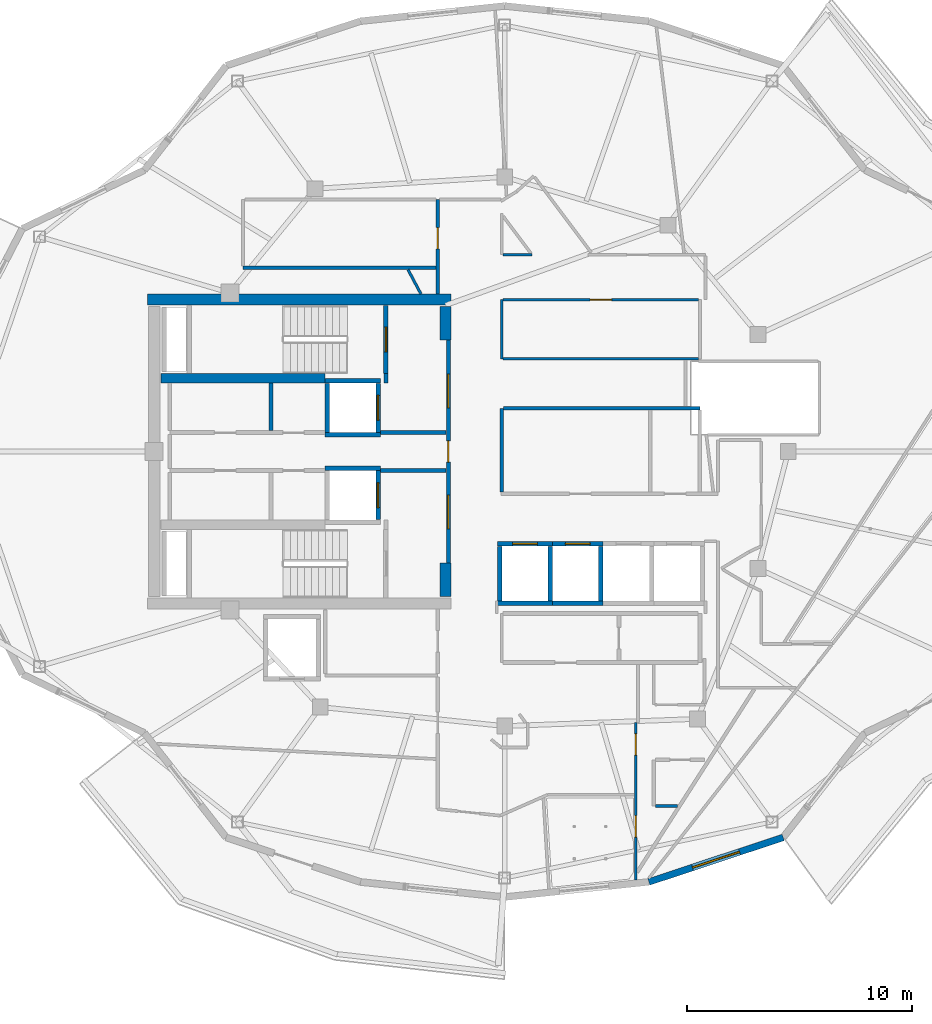
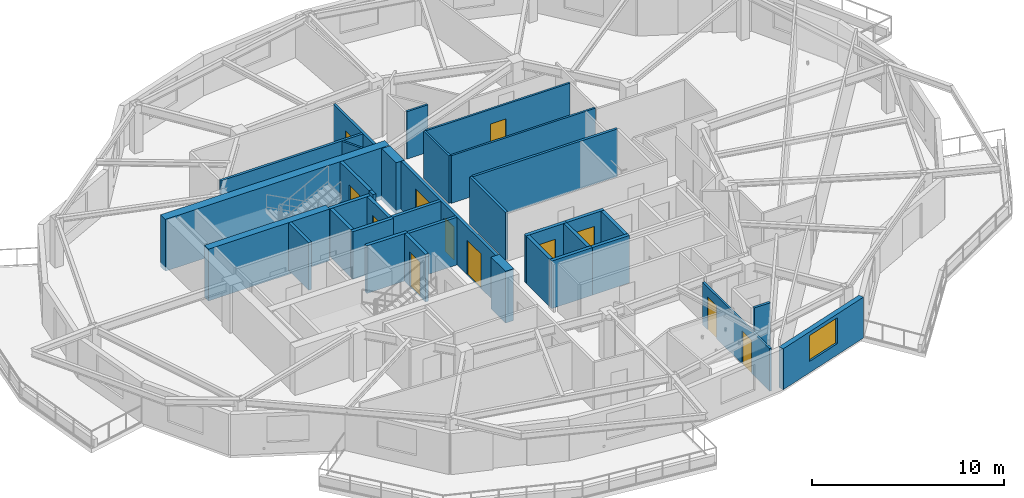
# One storey, part 4 of 14: 35 walls, 12 doors, 1 window, 13 openings.
"""IFC4 building model written with IfcOpenShell, lengths in metres."""

from ifc_helpers import new_model, si_unit, direction, frame, frame_2d, origin, place, context, subcontext, project, spatial, rectangle, extrude, material, layer, layer_set, type_object, element, fill, save


model = new_model("IFC4")

# Units and contexts
model_context = context("Model", 3, precision=1e-05, world=origin(), true_north=direction((0.0, 1.0)))
body_context = subcontext(model_context, "Body", "Model", "MODEL_VIEW")
ifc_project = project(units=[si_unit("LENGTHUNIT", "METRE"), si_unit("AREAUNIT", "SQUARE_METRE"), si_unit("VOLUMEUNIT", "CUBIC_METRE"), si_unit("PLANEANGLEUNIT", "RADIAN"), si_unit("MASSUNIT", "GRAM", prefix="KILO")], contexts=[model_context])

# Site, building, storey
site_placement = place(None, origin())
site = spatial("IfcSite", under=ifc_project, at=site_placement, CompositionType="ELEMENT")
building_placement = place(site_placement, origin())
building = spatial("IfcBuilding", under=site, at=building_placement, Name="Kolvaren Gate Tower and Convention Centre", CompositionType="ELEMENT")
storey_placement = place(building_placement, frame((0.0, 0.0, 209.60009765625)))
storey = spatial("IfcBuildingStorey", under=building, at=storey_placement, Name="L55", CompositionType="ELEMENT", Elevation=209.60009765625)

# Wall
ifc_material_1 = material(Name="Autoclaved Aerated Masonry Blockwork Class 4 (4.0 MPa)", Category="masonry")
ifc_layer_1 = layer(ifc_material_1, 0.179931640625)
ifc_layer_set_1 = layer_set([ifc_layer_1], Name="Autoclaved Aerated Masonry Blockwork Class 4 (4.0 MPa)")
wall_type_1 = type_object("IfcWallType", Name="ARCH-WL-COMP-180", PredefinedType="SOLIDWALL", material=ifc_layer_set_1)
wall_1_placement = place(storey_placement, frame((24.85009765625, 30.0400390625, 0.0), z_axis=(0.0, 0.0, 1.0), x_axis=(0.0, 1.0, 0.0)))
element("IfcWall", 1, at=wall_1_placement, inside=storey, type_object=wall_type_1, Name="Interior Partition WL-L55-INT-002", PredefinedType="SOLIDWALL", context=body_context, shape_type="SweptSolid", body=[
    extrude(rectangle(XDim=0.419921875, YDim=0.179931640625, at=frame_2d((0.2099609375, 0.0))), origin(), (0.0, 0.0, 1.0), 3.02978515625),
])

# Wall, openings, doors
wall_2_placement = place(storey_placement, frame((27.6201171875, 22.050048828125, 0.0), z_axis=(0.0, 0.0, 1.0), x_axis=(0.0, 1.0, 0.0)))
wall_2 = element("IfcWall", 2, at=wall_2_placement, inside=storey, type_object=wall_type_1, Name="Interior Partition WL-L55-INT-003", PredefinedType="SOLIDWALL", context=body_context, shape_type="SweptSolid", body=[
    extrude(rectangle(XDim=9.89990234375, YDim=0.179931640625, at=frame_2d((4.949951171875, 0.0))), origin(), (0.0, 0.0, 1.0), 3.02978515625),
])
opening_1_placement = place(wall_2_placement, frame((4.47509765625, 0.0, 0.0)))
opening_1 = element("IfcOpeningElement", 3, at=opening_1_placement, cuts=wall_2, Name="Opening DR-01", PredefinedType="OPENING", context=body_context, shape_type="SweptSolid", body=[
    extrude(rectangle(XDim=0.949951171875, YDim=2.10009765625, at=frame_2d((0.47509765625, 1.050048828125))), frame((0.0, 0.099853515625, 0.0), z_axis=(0.0, -1.0, 0.0), x_axis=(1.0, 0.0, 0.0)), (0.0, 0.0, 1.0), 0.199951171875),
])
opening_2_placement = place(wall_2_placement, frame((6.889892578125, 0.0, 0.0)))
opening_2 = element("IfcOpeningElement", 4, at=opening_2_placement, cuts=wall_2, Name="Opening DL-01", PredefinedType="OPENING", context=body_context, shape_type="SweptSolid", body=[
    extrude(rectangle(XDim=1.5, YDim=2.199951171875, at=frame_2d((0.75, 1.10009765625))), frame((0.0, 0.099853515625, 0.0), z_axis=(0.0, -1.0, 0.0), x_axis=(1.0, 0.0, 0.0)), (0.0, 0.0, 1.0), 0.199951171875),
])
opening_3_placement = place(wall_2_placement, frame((1.510009765625, 0.0, 0.0)))
opening_3 = element("IfcOpeningElement", 5, at=opening_3_placement, cuts=wall_2, Name="Opening DL-01", PredefinedType="OPENING", context=body_context, shape_type="SweptSolid", body=[
    extrude(rectangle(XDim=1.5, YDim=2.199951171875, at=frame_2d((0.75, 1.10009765625))), frame((0.0, 0.099853515625, 0.0), z_axis=(0.0, -1.0, 0.0), x_axis=(1.0, 0.0, 0.0)), (0.0, 0.0, 1.0), 0.199951171875),
])
ifc_material_2 = material(Name="Painted Architectural Steelwork ASTM A500 Grade C 345 MPa", Category="steel")
door_type_1 = type_object("IfcDoorType", Name="ARCH-DR-LOBBY-1500", OperationType="DOUBLE_DOOR_SINGLE_SWING", PredefinedType="DOOR", material=ifc_material_2)
door_1_placement = place(opening_2_placement, origin())
door_1 = element("IfcDoor", 6, at=door_1_placement, inside=storey, type_object=door_type_1, Name="North Firefighting Stair and Lift Lobby Door", OperationType="DOUBLE_DOOR_SINGLE_SWING", OverallHeight=2.199951171875, OverallWidth=1.5, PredefinedType="DOOR", context=body_context, shape_type="SweptSolid", body=[
    extrude(rectangle(XDim=1.5, YDim=2.199951171875, at=frame_2d((0.75, 1.10009765625))), frame((0.0, 0.02490234375, 0.0), z_axis=(0.0, -1.0, 0.0), x_axis=(1.0, 0.0, 0.0)), (0.0, 0.0, 1.0), 0.050048828125),
])
fill(opening_2, door_1)
door_2_placement = place(opening_3_placement, origin())
door_2 = element("IfcDoor", 7, at=door_2_placement, inside=storey, type_object=door_type_1, Name="South Firefighting Stair and Lift Lobby Door", OperationType="DOUBLE_DOOR_SINGLE_SWING", OverallHeight=2.199951171875, OverallWidth=1.5, PredefinedType="DOOR", context=body_context, shape_type="SweptSolid", body=[
    extrude(rectangle(XDim=1.5, YDim=2.199951171875, at=frame_2d((0.75, 1.10009765625))), frame((0.0, 0.02490234375, 0.0), z_axis=(0.0, -1.0, 0.0), x_axis=(1.0, 0.0, 0.0)), (0.0, 0.0, 1.0), 0.050048828125),
])
fill(opening_3, door_2)
door_type_2 = type_object("IfcDoorType", Name="ARCH-DR-RISER-950", OperationType="SINGLE_SWING_RIGHT", PredefinedType="DOOR", material=ifc_material_2)
door_3_placement = place(opening_1_placement, origin())
door_3 = element("IfcDoor", 8, at=door_3_placement, inside=storey, type_object=door_type_2, Name="Central MEP Service Corridor Door", OperationType="SINGLE_SWING_RIGHT", OverallHeight=2.10009765625, OverallWidth=0.949951171875, PredefinedType="DOOR", context=body_context, shape_type="SweptSolid", body=[
    extrude(rectangle(XDim=0.949951171875, YDim=2.10009765625, at=frame_2d((0.47509765625, 1.050048828125))), frame((0.0, 0.02490234375, 0.0), z_axis=(0.0, -1.0, 0.0), x_axis=(1.0, 0.0, 0.0)), (0.0, 0.0, 1.0), 0.050048828125),
])
fill(opening_1, door_3)

# Walls
for number, where, z_axis, x_axis, name in (
    (9, (24.60009765625, 27.840087890625, 0.0), (0.0, 0.0, 1.0), (1.0, 0.0, 0.0), "Interior Partition WL-L55-INT-004 (2)"),
    (10, (24.60009765625, 26.159912109375, 0.0), (0.0, 0.0, 1.0), (1.0, 0.0, 0.0), "Interior Partition WL-L55-INT-005 (2)"),
):
    element("IfcWall", number, at=place(storey_placement, frame(where, z_axis=z_axis, x_axis=x_axis)), inside=storey, type_object=wall_type_1, Name=name, PredefinedType="SOLIDWALL", context=body_context, shape_type="SweptSolid", body=[
        extrude(rectangle(XDim=2.927978515625, YDim=0.179931640625, at=frame_2d((1.4638671875, 0.0))), origin(), (0.0, 0.0, 1.0), 3.02978515625),
    ])
wall_3_placement = place(storey_placement, frame((19.75, 27.931884765625, 0.0), z_axis=(0.0, 0.0, 1.0), x_axis=(0.0, 1.0, 0.0)))
element("IfcWall", 11, at=wall_3_placement, inside=storey, type_object=wall_type_1, Name="Interior Partition WL-L55-INT-008", PredefinedType="SOLIDWALL", context=body_context, shape_type="SweptSolid", body=[
    extrude(rectangle(XDim=2.106201171875, YDim=0.179931640625, at=frame_2d((1.05322265625, 0.0))), origin(), (0.0, 0.0, 1.0), 3.02978515625),
])
ifc_material_3 = material(Name="Fire-Rated Acoustic Gypsum Stud Partition", Category="gypsum")
ifc_layer_2 = layer(ifc_material_3, 0.1201171875)
ifc_layer_set_2 = layer_set([ifc_layer_2], Name="Fire-Rated Acoustic Gypsum Stud Partition")
wall_type_2 = type_object("IfcWallType", Name="ARCH-WL-PART-120", PredefinedType="PARTITIONING", material=ifc_layer_set_2)
wall_4_placement = place(storey_placement, frame((30.0, 31.1201171875, 0.0), z_axis=(0.0, 0.0, 1.0), x_axis=(0.0, 1.0, 0.0)))
element("IfcWall", 12, at=wall_4_placement, inside=storey, type_object=wall_type_2, Name="Interior Partition WL-L55-INT-016", PredefinedType="PARTITIONING", context=body_context, shape_type="SweptSolid", body=[
    extrude(rectangle(XDim=2.6298828125, YDim=0.1201171875, at=frame_2d((1.31494140625, 0.0))), origin(), (0.0, 0.0, 1.0), 3.02978515625),
])
wall_5_placement = place(storey_placement, frame((30.06201171875, 31.1201171875, 0.0), z_axis=(0.0, 0.0, 1.0), x_axis=(1.0, 0.0, 0.0)))
element("IfcWall", 13, at=wall_5_placement, inside=storey, type_object=wall_type_2, Name="Interior Partition WL-L55-INT-023", PredefinedType="PARTITIONING", context=body_context, shape_type="SweptSolid", body=[
    extrude(rectangle(XDim=8.676025390625, YDim=0.1201171875, at=frame_2d((4.337890625, 0.0))), origin(), (0.0, 0.0, 1.0), 3.02978515625),
])

# Wall, opening, door
wall_6_placement = place(storey_placement, frame((30.06201171875, 33.75, 0.0), z_axis=(0.0, 0.0, 1.0), x_axis=(1.0, 0.0, 0.0)))
wall_6 = element("IfcWall", 14, at=wall_6_placement, inside=storey, type_object=wall_type_2, Name="Interior Partition WL-L55-INT-024", PredefinedType="PARTITIONING", context=body_context, shape_type="SweptSolid", body=[
    extrude(rectangle(XDim=8.676025390625, YDim=0.1201171875, at=frame_2d((4.337890625, 0.0))), origin(), (0.0, 0.0, 1.0), 3.02978515625),
])
opening_4_placement = place(wall_6_placement, frame((3.863037109375, 0.0, 0.0)))
opening_4 = element("IfcOpeningElement", 15, at=opening_4_placement, cuts=wall_6, Name="Opening DR-01", PredefinedType="OPENING", context=body_context, shape_type="SweptSolid", body=[
    extrude(rectangle(XDim=0.949951171875, YDim=2.10009765625, at=frame_2d((0.47509765625, 1.050048828125))), frame((0.0, 0.070068359375, 0.0), z_axis=(0.0, -1.0, 0.0), x_axis=(1.0, 0.0, 0.0)), (0.0, 0.0, 1.0), 0.14013671875),
])
door_4_placement = place(opening_4_placement, origin())
door_4 = element("IfcDoor", 16, at=door_4_placement, inside=storey, type_object=door_type_2, Name="Botanical Reading Clubroom Door", OperationType="SINGLE_SWING_RIGHT", OverallHeight=2.10009765625, OverallWidth=0.949951171875, PredefinedType="DOOR", context=body_context, shape_type="SweptSolid", body=[
    extrude(rectangle(XDim=0.949951171875, YDim=2.10009765625, at=frame_2d((0.47509765625, 1.050048828125))), frame((0.0, 0.02490234375, 0.0), z_axis=(0.0, -1.0, 0.0), x_axis=(1.0, 0.0, 0.0)), (0.0, 0.0, 1.0), 0.050048828125),
])
fill(opening_4, door_4)

# Wall
wall_7_placement = place(storey_placement, frame((30.06201171875, 35.75, 0.0), z_axis=(0.0, 0.0, 1.0), x_axis=(1.0, 0.0, 0.0)))
element("IfcWall", 17, at=wall_7_placement, inside=storey, type_object=wall_type_2, Name="Interior Partition WL-L55-INT-034", PredefinedType="PARTITIONING", context=body_context, shape_type="SweptSolid", body=[
    extrude(rectangle(XDim=1.27490234375, YDim=0.1201171875, at=frame_2d((0.637451171875, 0.0))), origin(), (0.0, 0.0, 1.0), 3.02978515625),
])

# Wall, openings, doors
wall_8_placement = place(storey_placement, frame((35.949951171875, 7.96630859375, 0.0), z_axis=(0.0, 0.0, 1.0), x_axis=(0.0, 1.0, 0.0)))
wall_8 = element("IfcWall", 18, at=wall_8_placement, inside=storey, type_object=wall_type_2, Name="Interior Partition WL-L55-INT-054", PredefinedType="PARTITIONING", context=body_context, shape_type="SweptSolid", body=[
    extrude(rectangle(XDim=6.983642578125, YDim=0.1201171875, at=frame_2d((3.49169921875, 0.0))), origin(), (0.0, 0.0, 1.0), 2.7119140625),
])
opening_5_placement = place(wall_8_placement, frame((5.543701171875, 0.0, 0.0)))
opening_5 = element("IfcOpeningElement", 19, at=opening_5_placement, cuts=wall_8, Name="Opening DR-01", PredefinedType="OPENING", context=body_context, shape_type="SweptSolid", body=[
    extrude(rectangle(XDim=0.949951171875, YDim=2.10009765625, at=frame_2d((0.47509765625, 1.050048828125))), frame((0.0, 0.070068359375, 0.0), z_axis=(0.0, -1.0, 0.0), x_axis=(1.0, 0.0, 0.0)), (0.0, 0.0, 1.0), 0.14013671875),
])
opening_6_placement = place(wall_8_placement, frame((1.90185546875, 0.0, 0.0)))
opening_6 = element("IfcOpeningElement", 20, at=opening_6_placement, cuts=wall_8, Name="Opening DI-01", PredefinedType="OPENING", context=body_context, shape_type="SweptSolid", body=[
    extrude(rectangle(XDim=0.949951171875, YDim=2.10009765625, at=frame_2d((0.47509765625, 1.050048828125))), frame((0.0, 0.070068359375, 0.0), z_axis=(0.0, -1.0, 0.0), x_axis=(1.0, 0.0, 0.0)), (0.0, 0.0, 1.0), 0.14013671875),
])
ifc_material_4 = material(Name="FSC Andean Oak Engineered Veneer Door Leaf", Category="wood")
door_type_3 = type_object("IfcDoorType", Name="ARCH-DR-INT-950", OperationType="SINGLE_SWING_LEFT", PredefinedType="DOOR", material=ifc_material_4)
door_5_placement = place(opening_6_placement, origin())
door_5 = element("IfcDoor", 21, at=door_5_placement, inside=storey, type_object=door_type_3, Name="Apartment Bedroom (APT-L55-01) Door", OperationType="SINGLE_SWING_RIGHT", OverallHeight=2.10009765625, OverallWidth=0.949951171875, PredefinedType="DOOR", context=body_context, shape_type="SweptSolid", body=[
    extrude(rectangle(XDim=0.949951171875, YDim=2.10009765625, at=frame_2d((0.47509765625, 1.050048828125))), frame((0.0, 0.02490234375, 0.0), z_axis=(0.0, -1.0, 0.0), x_axis=(1.0, 0.0, 0.0)), (0.0, 0.0, 1.0), 0.050048828125),
])
fill(opening_6, door_5)
door_6_placement = place(opening_5_placement, origin())
door_6 = element("IfcDoor", 22, at=door_6_placement, inside=storey, type_object=door_type_2, Name="Family Apartment Living and Dining Room (APT-L55-01) Door", OperationType="SINGLE_SWING_RIGHT", OverallHeight=2.10009765625, OverallWidth=0.949951171875, PredefinedType="DOOR", context=body_context, shape_type="SweptSolid", body=[
    extrude(rectangle(XDim=0.949951171875, YDim=2.10009765625, at=frame_2d((0.47509765625, 1.050048828125))), frame((0.0, 0.02490234375, 0.0), z_axis=(0.0, -1.0, 0.0), x_axis=(1.0, 0.0, 0.0)), (0.0, 0.0, 1.0), 0.050048828125),
])
fill(opening_5, door_6)

# Walls
wall_9_placement = place(storey_placement, frame((25.830810546875, 35.0830078125, 0.0), z_axis=(0.0, 0.0, 1.0), x_axis=(0.468630025993, -0.883394531757, 0.0)))
element("IfcWall", 23, at=wall_9_placement, inside=storey, type_object=wall_type_2, Name="Interior Partition WL-L55-INT-079", PredefinedType="PARTITIONING", context=body_context, shape_type="SweptSolid", body=[
    extrude(rectangle(XDim=1.2236328125, YDim=0.1201171875, at=frame_2d((0.61181640625, 0.0))), origin(), (0.0, 0.0, 1.0), 3.02978515625),
])
ifc_layer_3 = layer(ifc_material_1, 0.199951171875)
ifc_layer_set_3 = layer_set([ifc_layer_3], Name="Autoclaved Aerated Masonry Blockwork Class 4 (4.0 MPa)")
wall_type_3 = type_object("IfcWallType", Name="ARCH-WL-SHAFT-200", PredefinedType="SOLIDWALL", material=ifc_layer_set_3)
for number, where, z_axis, x_axis, name in (
    (24, (22.14990234375, 30.139892578125, 0.0), (0.0, 0.0, 1.0), (1.0, 0.0, 0.0), "Elevator FF-01 L55 Fire Shaft Wall N"),
    (25, (22.14990234375, 27.739990234375, 0.0), (0.0, 0.0, 1.0), (1.0, 0.0, 0.0), "Elevator FF-01 L55 Fire Shaft Wall S"),
):
    element("IfcWall", number, at=place(storey_placement, frame(where, z_axis=z_axis, x_axis=x_axis)), inside=storey, type_object=wall_type_3, Name=name, PredefinedType="SOLIDWALL", context=body_context, shape_type="SweptSolid", body=[
        extrude(rectangle(XDim=2.4501953125, YDim=0.199951171875, at=frame_2d((1.22509765625, 0.0))), origin(), (0.0, 0.0, 1.0), 3.02978515625),
    ])
wall_10_placement = place(storey_placement, frame((22.25, 27.85009765625, 0.0), z_axis=(0.0, 0.0, 1.0), x_axis=(0.0, 1.0, 0.0)))
element("IfcWall", 26, at=wall_10_placement, inside=storey, type_object=wall_type_3, Name="Elevator FF-01 L55 Fire Shaft Wall W", PredefinedType="SOLIDWALL", context=body_context, shape_type="SweptSolid", body=[
    extrude(rectangle(XDim=2.179931640625, YDim=0.199951171875, at=frame_2d((1.08984375, 0.0))), origin(), (0.0, 0.0, 1.0), 3.02978515625),
])

# Wall, opening, door
wall_11_placement = place(storey_placement, frame((24.5, 27.85009765625, 0.0), z_axis=(0.0, 0.0, 1.0), x_axis=(0.0, 1.0, 0.0)))
wall_11 = element("IfcWall", 27, at=wall_11_placement, inside=storey, type_object=wall_type_3, Name="Elevator FF-01 L55 Fire Shaft Wall E", PredefinedType="SOLIDWALL", context=body_context, shape_type="SweptSolid", body=[
    extrude(rectangle(XDim=2.179931640625, YDim=0.199951171875, at=frame_2d((1.08984375, 0.0))), origin(), (0.0, 0.0, 1.0), 3.02978515625),
])
opening_7_placement = place(wall_11_placement, frame((0.5400390625, 0.0, 0.0)))
opening_7 = element("IfcOpeningElement", 28, at=opening_7_placement, cuts=wall_11, Name="Opening LD", PredefinedType="OPENING", context=body_context, shape_type="SweptSolid", body=[
    extrude(rectangle(XDim=1.10009765625, YDim=2.199951171875, at=frame_2d((0.550048828125, 1.10009765625))), frame((0.0, 0.10986328125, 0.0), z_axis=(0.0, -1.0, 0.0), x_axis=(1.0, 0.0, 0.0)), (0.0, 0.0, 1.0), 0.219970703125),
])
ifc_material_5 = material(Name="Brushed Stainless Steel Grade 316L", Category="steel")
door_type_4 = type_object("IfcDoorType", Name="ARCH-DR-LIFT-1100", OperationType="SLIDING_TO_LEFT", PredefinedType="DOOR", material=ifc_material_5)
door_7_placement = place(opening_7_placement, origin())
door_7 = element("IfcDoor", 29, at=door_7_placement, inside=storey, type_object=door_type_4, Name="Elevator FF-01 L55 Sliding Landing Door", OperationType="SLIDING_TO_LEFT", OverallHeight=2.199951171875, OverallWidth=1.10009765625, PredefinedType="DOOR", context=body_context, shape_type="SweptSolid", body=[
    extrude(rectangle(XDim=1.10009765625, YDim=2.199951171875, at=frame_2d((0.550048828125, 1.10009765625))), frame((0.0, 0.02490234375, 0.0), z_axis=(0.0, -1.0, 0.0), x_axis=(1.0, 0.0, 0.0)), (0.0, 0.0, 1.0), 0.050048828125),
])
fill(opening_7, door_7)

# Wall
wall_12_placement = place(storey_placement, frame((22.14990234375, 26.260009765625, 0.0), z_axis=(0.0, 0.0, 1.0), x_axis=(1.0, 0.0, 0.0)))
element("IfcWall", 30, at=wall_12_placement, inside=storey, type_object=wall_type_3, Name="Elevator FF-02 L55 Fire Shaft Wall N", PredefinedType="SOLIDWALL", context=body_context, shape_type="SweptSolid", body=[
    extrude(rectangle(XDim=2.4501953125, YDim=0.199951171875, at=frame_2d((1.22509765625, 0.0))), origin(), (0.0, 0.0, 1.0), 3.02978515625),
])

# Wall, opening, door
wall_13_placement = place(storey_placement, frame((24.5, 23.969970703125, 0.0), z_axis=(0.0, 0.0, 1.0), x_axis=(0.0, 1.0, 0.0)))
wall_13 = element("IfcWall", 31, at=wall_13_placement, inside=storey, type_object=wall_type_3, Name="Elevator FF-02 L55 Fire Shaft Wall E", PredefinedType="SOLIDWALL", context=body_context, shape_type="SweptSolid", body=[
    extrude(rectangle(XDim=2.179931640625, YDim=0.199951171875, at=frame_2d((1.08984375, 0.0))), origin(), (0.0, 0.0, 1.0), 3.02978515625),
])
opening_8_placement = place(wall_13_placement, frame((0.5400390625, 0.0, 0.0)))
opening_8 = element("IfcOpeningElement", 32, at=opening_8_placement, cuts=wall_13, Name="Opening LD", PredefinedType="OPENING", context=body_context, shape_type="SweptSolid", body=[
    extrude(rectangle(XDim=1.10009765625, YDim=2.199951171875, at=frame_2d((0.550048828125, 1.10009765625))), frame((0.0, 0.10986328125, 0.0), z_axis=(0.0, -1.0, 0.0), x_axis=(1.0, 0.0, 0.0)), (0.0, 0.0, 1.0), 0.219970703125),
])
door_8_placement = place(opening_8_placement, origin())
door_8 = element("IfcDoor", 33, at=door_8_placement, inside=storey, type_object=door_type_4, Name="Elevator FF-02 L55 Sliding Landing Door", OperationType="SLIDING_TO_LEFT", OverallHeight=2.199951171875, OverallWidth=1.10009765625, PredefinedType="DOOR", context=body_context, shape_type="SweptSolid", body=[
    extrude(rectangle(XDim=1.10009765625, YDim=2.199951171875, at=frame_2d((0.550048828125, 1.10009765625))), frame((0.0, 0.02490234375, 0.0), z_axis=(0.0, -1.0, 0.0), x_axis=(1.0, 0.0, 0.0)), (0.0, 0.0, 1.0), 0.050048828125),
])
fill(opening_8, door_8)

wall_14_placement = place(storey_placement, frame((29.800048828125, 22.89990234375, 0.0), z_axis=(0.0, 0.0, 1.0), x_axis=(1.0, 0.0, 0.0)))
wall_14 = element("IfcWall", 34, at=wall_14_placement, inside=storey, type_object=wall_type_3, Name="Elevator PL-09 L55 Fire Shaft Wall N", PredefinedType="SOLIDWALL", context=body_context, shape_type="SweptSolid", body=[
    extrude(rectangle(XDim=2.449951171875, YDim=0.199951171875, at=frame_2d((1.22509765625, 0.0))), origin(), (0.0, 0.0, 1.0), 3.02978515625),
])
opening_9_placement = place(wall_14_placement, frame((0.675048828125, 0.0, 0.0)))
opening_9 = element("IfcOpeningElement", 35, at=opening_9_placement, cuts=wall_14, Name="Opening LD", PredefinedType="OPENING", context=body_context, shape_type="SweptSolid", body=[
    extrude(rectangle(XDim=1.10009765625, YDim=2.199951171875, at=frame_2d((0.550048828125, 1.10009765625))), frame((0.0, 0.10986328125, 0.0), z_axis=(0.0, -1.0, 0.0), x_axis=(1.0, 0.0, 0.0)), (0.0, 0.0, 1.0), 0.219970703125),
])
door_9_placement = place(opening_9_placement, origin())
door_9 = element("IfcDoor", 36, at=door_9_placement, inside=storey, type_object=door_type_4, Name="Elevator PL-09 L55 Sliding Landing Door", OperationType="SLIDING_TO_LEFT", OverallHeight=2.199951171875, OverallWidth=1.10009765625, PredefinedType="DOOR", context=body_context, shape_type="SweptSolid", body=[
    extrude(rectangle(XDim=1.10009765625, YDim=2.199951171875, at=frame_2d((0.550048828125, 1.10009765625))), frame((0.0, 0.02490234375, 0.0), z_axis=(0.0, -1.0, 0.0), x_axis=(1.0, 0.0, 0.0)), (0.0, 0.0, 1.0), 0.050048828125),
])
fill(opening_9, door_9)

# Walls
wall_15_placement = place(storey_placement, frame((29.800048828125, 20.25, 0.0), z_axis=(0.0, 0.0, 1.0), x_axis=(1.0, 0.0, 0.0)))
element("IfcWall", 37, at=wall_15_placement, inside=storey, type_object=wall_type_3, Name="Elevator PL-09 L55 Fire Shaft Wall S", PredefinedType="SOLIDWALL", context=body_context, shape_type="SweptSolid", body=[
    extrude(rectangle(XDim=2.449951171875, YDim=0.199951171875, at=frame_2d((1.22509765625, 0.0))), origin(), (0.0, 0.0, 1.0), 3.02978515625),
])
for number, where, z_axis, x_axis, name in (
    (38, (29.89990234375, 20.360107421875, 0.0), (0.0, 0.0, 1.0), (0.0, 1.0, 0.0), "Elevator PL-09 L55 Fire Shaft Wall W"),
    (39, (32.14990234375, 20.360107421875, 0.0), (0.0, 0.0, 1.0), (0.0, 1.0, 0.0), "Elevator PL-09 L55 Fire Shaft Wall E"),
):
    element("IfcWall", number, at=place(storey_placement, frame(where, z_axis=z_axis, x_axis=x_axis)), inside=storey, type_object=wall_type_3, Name=name, PredefinedType="SOLIDWALL", context=body_context, shape_type="SweptSolid", body=[
        extrude(rectangle(XDim=2.429931640625, YDim=0.199951171875, at=frame_2d((1.21484375, 0.0))), origin(), (0.0, 0.0, 1.0), 3.02978515625),
    ])

# Wall, opening, door
wall_16_placement = place(storey_placement, frame((32.25, 22.89990234375, 0.0), z_axis=(0.0, 0.0, 1.0), x_axis=(1.0, 0.0, 0.0)))
wall_16 = element("IfcWall", 40, at=wall_16_placement, inside=storey, type_object=wall_type_3, Name="Elevator PL-10 L55 Fire Shaft Wall N", PredefinedType="SOLIDWALL", context=body_context, shape_type="SweptSolid", body=[
    extrude(rectangle(XDim=2.25, YDim=0.199951171875, at=frame_2d((1.125, 0.0))), origin(), (0.0, 0.0, 1.0), 3.02978515625),
])
opening_10_placement = place(wall_16_placement, frame((0.574951171875, 0.0, 0.0)))
opening_10 = element("IfcOpeningElement", 41, at=opening_10_placement, cuts=wall_16, Name="Opening LD", PredefinedType="OPENING", context=body_context, shape_type="SweptSolid", body=[
    extrude(rectangle(XDim=1.10009765625, YDim=2.199951171875, at=frame_2d((0.550048828125, 1.10009765625))), frame((0.0, 0.10986328125, 0.0), z_axis=(0.0, -1.0, 0.0), x_axis=(1.0, 0.0, 0.0)), (0.0, 0.0, 1.0), 0.219970703125),
])
door_10_placement = place(opening_10_placement, origin())
door_10 = element("IfcDoor", 42, at=door_10_placement, inside=storey, type_object=door_type_4, Name="Elevator PL-10 L55 Sliding Landing Door", OperationType="SLIDING_TO_LEFT", OverallHeight=2.199951171875, OverallWidth=1.10009765625, PredefinedType="DOOR", context=body_context, shape_type="SweptSolid", body=[
    extrude(rectangle(XDim=1.10009765625, YDim=2.199951171875, at=frame_2d((0.550048828125, 1.10009765625))), frame((0.0, 0.02490234375, 0.0), z_axis=(0.0, -1.0, 0.0), x_axis=(1.0, 0.0, 0.0)), (0.0, 0.0, 1.0), 0.050048828125),
])
fill(opening_10, door_10)

# Walls
wall_17_placement = place(storey_placement, frame((32.25, 20.25, 0.0), z_axis=(0.0, 0.0, 1.0), x_axis=(1.0, 0.0, 0.0)))
element("IfcWall", 43, at=wall_17_placement, inside=storey, type_object=wall_type_3, Name="Elevator PL-10 L55 Fire Shaft Wall S", PredefinedType="SOLIDWALL", context=body_context, shape_type="SweptSolid", body=[
    extrude(rectangle(XDim=2.25, YDim=0.199951171875, at=frame_2d((1.125, 0.0))), origin(), (0.0, 0.0, 1.0), 3.02978515625),
])
wall_18_placement = place(storey_placement, frame((34.39990234375, 20.360107421875, 0.0), z_axis=(0.0, 0.0, 1.0), x_axis=(0.0, 1.0, 0.0)))
element("IfcWall", 44, at=wall_18_placement, inside=storey, type_object=wall_type_3, Name="Elevator PL-10 L55 Fire Shaft Wall E", PredefinedType="SOLIDWALL", context=body_context, shape_type="SweptSolid", body=[
    extrude(rectangle(XDim=2.429931640625, YDim=0.199951171875, at=frame_2d((1.21484375, 0.0))), origin(), (0.0, 0.0, 1.0), 3.02978515625),
])

# Wall, opening, window
ifc_material_6 = material(Name="Piedmont Cream Honed Limestone Cladding", Category="masonry")
ifc_layer_4 = layer(ifc_material_6, 0.300048828125)
ifc_layer_set_4 = layer_set([ifc_layer_4], Name="Piedmont Cream Honed Limestone Cladding")
wall_type_4 = type_object("IfcWallType", Name="ARCH-WL-STONE-300", PredefinedType="SOLIDWALL", material=ifc_layer_set_4)
wall_19_placement = place(storey_placement, frame((36.53076171875, 7.874755859375, 0.0), z_axis=(0.0, 0.0, 1.0), x_axis=(0.949240877604, 0.314550085495, 0.0)))
wall_19 = element("IfcWall", 45, at=wall_19_placement, inside=storey, type_object=wall_type_4, Name="Tower L55 Honed Stone Spandrel Wall EW-19", PredefinedType="SOLIDWALL", context=body_context, shape_type="SweptSolid", body=[
    extrude(rectangle(XDim=6.288330078125, YDim=0.300048828125, at=frame_2d((3.14404296875, 0.0))), origin(), (0.0, 0.0, 1.0), 2.60498046875),
])
opening_11_placement = place(wall_19_placement, frame((2.0439453125, 0.0, 0.719970703125)))
opening_11 = element("IfcOpeningElement", 46, at=opening_11_placement, cuts=wall_19, Name="Opening W-03", PredefinedType="OPENING", context=body_context, shape_type="SweptSolid", body=[
    extrude(rectangle(XDim=2.199951171875, YDim=1.64990234375, at=frame_2d((1.10009765625, 0.824951171875))), frame((0.0, 0.159912109375, 0.0), z_axis=(0.0, -1.0, 0.0), x_axis=(1.0, 0.0, 0.0)), (0.0, 0.0, 1.0), 0.320068359375),
])
ifc_material_7 = material(Name="Low-E Triple Insulated Glazing Unit 44 mm", Category="glass")
window_type = type_object("IfcWindowType", Name="ARCH-WN-RES-2200", PartitioningType="SINGLE_PANEL", PredefinedType="WINDOW", material=ifc_material_7)
window_placement = place(opening_11_placement, origin())
window = element("IfcWindow", 47, at=window_placement, inside=storey, type_object=window_type, Name="Tower L55 Punched Stone Facade Window W-19", OverallHeight=1.64990234375, OverallWidth=2.199951171875, PartitioningType="SINGLE_PANEL", PredefinedType="WINDOW", context=body_context, shape_type="SweptSolid", body=[
    extrude(rectangle(XDim=2.199951171875, YDim=1.64990234375, at=frame_2d((1.10009765625, 0.824951171875))), frame((0.0, 0.030029296875, 0.0), z_axis=(0.0, -1.0, 0.0), x_axis=(1.0, 0.0, 0.0)), (0.0, 0.0, 1.0), 0.06005859375),
])
fill(opening_11, window)

# Wall, opening, door
ifc_material_8 = material(Name="Moisture-Resistant Cement-Board Acoustic Partition", Category="gypsum")
ifc_layer_5 = layer(ifc_material_8, 0.14990234375)
ifc_layer_set_5 = layer_set([ifc_layer_5], Name="Moisture-Resistant Cement-Board Acoustic Partition")
wall_type_5 = type_object("IfcWallType", Name="ARCH-WL-WET-150", PredefinedType="PARTITIONING", material=ifc_layer_set_5)
wall_20_placement = place(storey_placement, frame((27.14990234375, 34.001953125, 0.0), z_axis=(0.0, 0.0, 1.0), x_axis=(0.0, 1.0, 0.0)))
wall_20 = element("IfcWall", 48, at=wall_20_placement, inside=storey, type_object=wall_type_5, Name="Interior Partition WL-L55-INT-012", PredefinedType="PARTITIONING", context=body_context, shape_type="SweptSolid", body=[
    extrude(rectangle(XDim=4.197998046875, YDim=0.14990234375, at=frame_2d((2.09912109375, 0.0))), origin(), (0.0, 0.0, 1.0), 3.02978515625),
])
opening_12_placement = place(wall_20_placement, frame((1.998046875, 0.0, 0.0)))
opening_12 = element("IfcOpeningElement", 49, at=opening_12_placement, cuts=wall_20, Name="Opening DR-01", PredefinedType="OPENING", context=body_context, shape_type="SweptSolid", body=[
    extrude(rectangle(XDim=0.949951171875, YDim=2.10009765625, at=frame_2d((0.47509765625, 1.050048828125))), frame((0.0, 0.0849609375, 0.0), z_axis=(0.0, -1.0, 0.0), x_axis=(1.0, 0.0, 0.0)), (0.0, 0.0, 1.0), 0.169921875),
])
door_11_placement = place(opening_12_placement, origin())
door_11 = element("IfcDoor", 50, at=door_11_placement, inside=storey, type_object=door_type_2, Name="Reclaimed North Resident Store Door", OperationType="SINGLE_SWING_RIGHT", OverallHeight=2.10009765625, OverallWidth=0.949951171875, PredefinedType="DOOR", context=body_context, shape_type="SweptSolid", body=[
    extrude(rectangle(XDim=0.949951171875, YDim=2.10009765625, at=frame_2d((0.47509765625, 1.050048828125))), frame((0.0, 0.02490234375, 0.0), z_axis=(0.0, -1.0, 0.0), x_axis=(1.0, 0.0, 0.0)), (0.0, 0.0, 1.0), 0.050048828125),
])
fill(opening_12, door_11)

# Walls
wall_21_placement = place(storey_placement, frame((30.0, 25.197021484375, 0.0), z_axis=(0.0, 0.0, 1.0), x_axis=(0.0, 1.0, 0.0)))
element("IfcWall", 51, at=wall_21_placement, inside=storey, type_object=wall_type_5, Name="Interior Partition WL-L55-INT-015", PredefinedType="PARTITIONING", context=body_context, shape_type="SweptSolid", body=[
    extrude(rectangle(XDim=3.722900390625, YDim=0.14990234375, at=frame_2d((1.861328125, 0.0))), origin(), (0.0, 0.0, 1.0), 3.02978515625),
])
wall_22_placement = place(storey_placement, frame((30.076904296875, 28.919921875, 0.0), z_axis=(0.0, 0.0, 1.0), x_axis=(1.0, 0.0, 0.0)))
element("IfcWall", 52, at=wall_22_placement, inside=storey, type_object=wall_type_5, Name="Interior Partition WL-L55-INT-018", PredefinedType="PARTITIONING", context=body_context, shape_type="SweptSolid", body=[
    extrude(rectangle(XDim=8.72314453125, YDim=0.14990234375, at=frame_2d((4.361572265625, 0.0))), origin(), (0.0, 0.0, 1.0), 3.02978515625),
])
wall_23_placement = place(storey_placement, frame((18.5, 35.159912109375, 0.0), z_axis=(0.0, 0.0, 1.0), x_axis=(1.0, 0.0, 0.0)))
element("IfcWall", 53, at=wall_23_placement, inside=storey, type_object=wall_type_5, Name="Interior Partition WL-L55-INT-028", PredefinedType="PARTITIONING", context=body_context, shape_type="SweptSolid", body=[
    extrude(rectangle(XDim=8.572998046875, YDim=0.14990234375, at=frame_2d((4.28662109375, 0.0))), origin(), (0.0, 0.0, 1.0), 3.02978515625),
])
wall_24_placement = place(storey_placement, frame((36.826904296875, 11.25, 0.0), z_axis=(0.0, 0.0, 1.0), x_axis=(1.0, 0.0, 0.0)))
element("IfcWall", 54, at=wall_24_placement, inside=storey, type_object=wall_type_5, Name="Interior Partition WL-L55-INT-073", PredefinedType="PARTITIONING", context=body_context, shape_type="SweptSolid", body=[
    extrude(rectangle(XDim=0.977294921875, YDim=0.14990234375, at=frame_2d((0.48876953125, 0.0))), origin(), (0.0, 0.0, 1.0), 3.02978515625),
])
ifc_material_9 = material(Name="Concrete C50/60", Category="concrete")
ifc_layer_6 = layer(ifc_material_9, 0.419921875)
ifc_layer_set_6 = layer_set([ifc_layer_6], Name="Concrete C50/60")
wall_type_6 = type_object("IfcWallType", Name="STR-WL-CONV-420", PredefinedType="SHEAR", material=ifc_layer_set_6)
wall_25_placement = place(storey_placement, frame((14.85009765625, 30.25, -0.27001953125), z_axis=(0.0, 0.0, 1.0), x_axis=(1.0, 0.0, 0.0)))
element("IfcWall", 55, at=wall_25_placement, inside=storey, type_object=wall_type_6, Name="Tower L55 Offset Core Shear Wall WN", PredefinedType="SHEAR", context=body_context, shape_type="SweptSolid", body=[
    extrude(rectangle(XDim=7.2998046875, YDim=0.419921875, at=frame_2d((3.64990234375, 0.0))), origin(), (0.0, 0.0, 1.0), 3.2998046875),
])
ifc_layer_7 = layer(ifc_material_9, 0.5)
ifc_layer_set_7 = layer_set([ifc_layer_7], Name="Concrete C50/60")
wall_type_7 = type_object("IfcWallType", Name="STR-WL-CORE-500", PredefinedType="SHEAR", material=ifc_layer_set_7)
wall_26_placement = place(storey_placement, frame((14.25, 33.75, -0.27001953125), z_axis=(0.0, 0.0, 1.0), x_axis=(1.0, 0.0, 0.0)))
element("IfcWall", 56, at=wall_26_placement, inside=storey, type_object=wall_type_7, Name="Tower L55 Offset Core Shear Wall N", PredefinedType="SHEAR", context=body_context, shape_type="SweptSolid", body=[
    extrude(rectangle(XDim=13.5, YDim=0.5, at=frame_2d((6.75, 0.0))), origin(), (0.0, 0.0, 1.0), 3.2998046875),
])
for number, where, z_axis, x_axis, name in (
    (57, (27.5, 31.949951171875, -0.27001953125), (0.0, 0.0, 1.0), (0.0, 1.0, 0.0), "Tower L55 Offset Core Shear Wall EN"),
    (58, (27.5, 20.550048828125, -0.27001953125), (0.0, 0.0, 1.0), (0.0, 1.0, 0.0), "Tower L55 Offset Core Shear Wall ES"),
):
    element("IfcWall", number, at=place(storey_placement, frame(where, z_axis=z_axis, x_axis=x_axis)), inside=storey, type_object=wall_type_7, Name=name, PredefinedType="SHEAR", context=body_context, shape_type="SweptSolid", body=[
        extrude(rectangle(XDim=1.5, YDim=0.5, at=frame_2d((0.75, 0.0))), origin(), (0.0, 0.0, 1.0), 3.2998046875),
    ])

# Wall, opening, door
ifc_layer_8 = layer(ifc_material_9, 0.199951171875)
ifc_layer_set_8 = layer_set([ifc_layer_8], Name="Concrete C50/60")
wall_type_8 = type_object("IfcWallType", Name="STR-WL-SHAFT-200", PredefinedType="SHEAR", material=ifc_layer_set_8)
wall_27_placement = place(storey_placement, frame((24.85009765625, 30.4599609375, -0.27001953125), z_axis=(0.0, 0.0, 1.0), x_axis=(0.0, 1.0, 0.0)))
wall_27 = element("IfcWall", 59, at=wall_27_placement, inside=storey, type_object=wall_type_8, Name="Tower North Exit Stair ST-T1 L55 Structural Shear Enclosure Wall NEAR", PredefinedType="SHEAR", context=body_context, shape_type="SweptSolid", body=[
    extrude(rectangle(XDim=3.0380859375, YDim=0.199951171875, at=frame_2d((1.51904296875, 0.0))), origin(), (0.0, 0.0, 1.0), 3.2998046875),
])
opening_13_placement = place(wall_27_placement, frame((0.968994140625, 0.0, 0.27001953125)))
opening_13 = element("IfcOpeningElement", 60, at=opening_13_placement, cuts=wall_27, Name="Opening DS-01", PredefinedType="OPENING", context=body_context, shape_type="SweptSolid", body=[
    extrude(rectangle(XDim=1.10009765625, YDim=2.14990234375, at=frame_2d((0.550048828125, 1.074951171875))), frame((0.0, 0.10986328125, 0.0), z_axis=(0.0, -1.0, 0.0), x_axis=(1.0, 0.0, 0.0)), (0.0, 0.0, 1.0), 0.219970703125),
])
door_type_5 = type_object("IfcDoorType", Name="ARCH-DR-STAIR-1100", OperationType="SINGLE_SWING_LEFT", PredefinedType="DOOR", material=ifc_material_2)
door_12_placement = place(opening_13_placement, origin())
door_12 = element("IfcDoor", 61, at=door_12_placement, inside=storey, type_object=door_type_5, Name="Tower North Exit Stair ST-T1 L55 Fire Exit Stair Door", OperationType="SINGLE_SWING_LEFT", OverallHeight=2.14990234375, OverallWidth=1.10009765625, PredefinedType="DOOR", context=body_context, shape_type="SweptSolid", body=[
    extrude(rectangle(XDim=1.10009765625, YDim=2.14990234375, at=frame_2d((0.550048828125, 1.074951171875))), frame((0.0, 0.02490234375, 0.0), z_axis=(0.0, -1.0, 0.0), x_axis=(1.0, 0.0, 0.0)), (0.0, 0.0, 1.0), 0.050048828125),
])
fill(opening_13, door_12)

save(model, "model.ifc")
